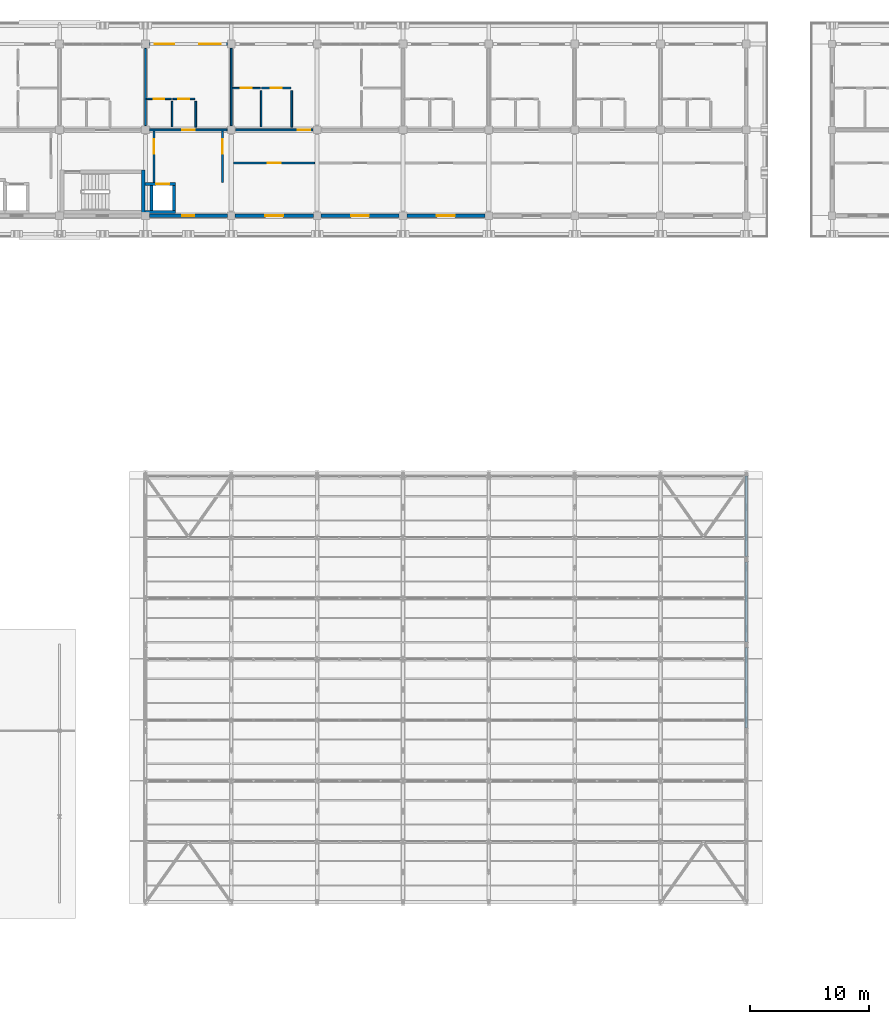
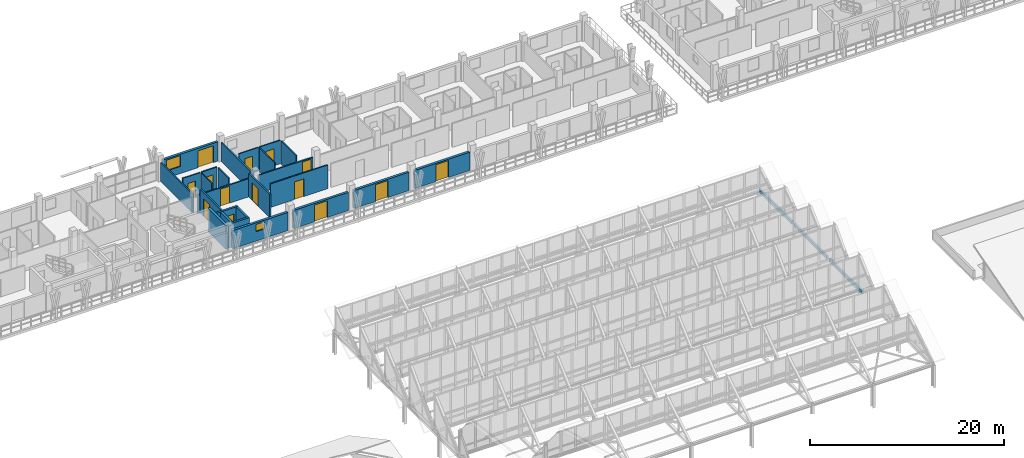
# One storey, part 124 of 157: 28 walls, 14 doors, 2 windows, 16 openings.
"""IFC4 building model written with IfcOpenShell, lengths in metres."""

from ifc_helpers import new_model, si_unit, direction, frame, frame_2d, origin, place, context, subcontext, project, spatial, rectangle, extrude, material, layer, layer_set, type_object, element, fill, save


model = new_model("IFC4")

# Units and contexts
model_context = context("Model", 3, precision=1e-05, world=origin(), true_north=direction((0.0, 1.0)))
body_context = subcontext(model_context, "Body", "Model", "MODEL_VIEW")
ifc_project = project(units=[si_unit("LENGTHUNIT", "METRE"), si_unit("AREAUNIT", "SQUARE_METRE"), si_unit("VOLUMEUNIT", "CUBIC_METRE"), si_unit("PLANEANGLEUNIT", "RADIAN"), si_unit("MASSUNIT", "GRAM", prefix="KILO")], contexts=[model_context])

# Site, building, storey
site_placement = place(None, origin())
site = spatial("IfcSite", under=ifc_project, at=site_placement, CompositionType="ELEMENT")
building_placement = place(site_placement, origin())
building = spatial("IfcBuilding", under=site, at=building_placement, Name="Suanplinth Sawtooth Commons", CompositionType="ELEMENT")
storey_placement = place(building_placement, frame((0.0, 0.0, 9.0)))
storey = spatial("IfcBuildingStorey", under=building, at=storey_placement, Name="L02", CompositionType="ELEMENT", Elevation=9.0)

# Wall
ifc_material_1 = material(Name="Concrete C40/50", Category="concrete")
ifc_layer_1 = layer(ifc_material_1, 0.300048828125, Name="Standard RC stair and lift core wall 300mm")
ifc_layer_set_1 = layer_set([ifc_layer_1], Name="Concrete C40/50")
wall_type_1 = type_object("IfcWallType", Name="W-CR02", PredefinedType="SHEAR", material=ifc_layer_set_1)
wall_1_placement = place(storey_placement, frame((64.60009765625, 108.14990234375, 0.0), z_axis=(0.0, 0.0, 1.0), x_axis=(0.0, 1.0, 0.0)))
element("IfcWall", 1, at=wall_1_placement, inside=storey, type_object=wall_type_1, Name="W-L02-C-A2-STE", PredefinedType="SHEAR", context=body_context, shape_type="SweptSolid", body=[
    extrude(rectangle(XDim=3.7001953125, YDim=0.300048828125, at=frame_2d((1.85009765625, 0.0))), origin(), (0.0, 0.0, 1.0), 2.9599609375),
])

# Wall, openings, door, window
ifc_material_2 = material(Name="Precast concrete C40/50", Category="concrete")
ifc_layer_2 = layer(ifc_material_2, 0.280029296875, Name="Insulated precast architectural facade wall 280mm")
ifc_layer_set_2 = layer_set([ifc_layer_2], Name="Precast concrete C40/50")
wall_type_2 = type_object("IfcWallType", Name="W-EX01", PredefinedType="ELEMENTEDWALL", material=ifc_layer_set_2)
wall_2_placement = place(storey_placement, frame((65.125, 122.39990234375, 0.0), z_axis=(0.0, 0.0, 1.0), x_axis=(1.0, 0.0, 0.0)))
wall_2 = element("IfcWall", 2, at=wall_2_placement, inside=storey, type_object=wall_type_2, Name="Facade Wall W-L02-A-N-9", PredefinedType="ELEMENTEDWALL", context=body_context, shape_type="SweptSolid", body=[
    extrude(rectangle(XDim=6.550048828125, YDim=0.280029296875, at=frame_2d((3.27490234375, 0.0))), origin(), (0.0, 0.0, 1.0), 2.425048828125),
])
opening_1_placement = place(wall_2_placement, frame((4.199951171875, 0.0, 0.0)))
opening_1 = element("IfcOpeningElement", 3, at=opening_1_placement, cuts=wall_2, Name="Opening ED0141", PredefinedType="OPENING", context=body_context, shape_type="SweptSolid", body=[
    extrude(rectangle(XDim=1.800048828125, YDim=2.1201171875, at=frame_2d((0.89990234375, 1.06005859375))), frame((0.0, 0.15478515625, 0.0), z_axis=(0.0, -1.0, 0.0), x_axis=(1.0, 0.0, 0.0)), (0.0, 0.0, 1.0), 0.309814453125),
])
opening_2_placement = place(wall_2_placement, frame((0.449951171875, 0.0, 0.89990234375)))
opening_2 = element("IfcOpeningElement", 4, at=opening_2_placement, cuts=wall_2, Name="Opening W0259", PredefinedType="OPENING", context=body_context, shape_type="SweptSolid", body=[
    extrude(rectangle(XDim=1.64990234375, YDim=1.35009765625, at=frame_2d((0.824951171875, 0.675048828125))), frame((0.0, 0.15478515625, 0.0), z_axis=(0.0, -1.0, 0.0), x_axis=(1.0, 0.0, 0.0)), (0.0, 0.0, 1.0), 0.309814453125),
])
ifc_material_3 = material(Name="Anodized aluminium and low-E glass", Category="aluminium")
door_type_1 = type_object("IfcDoorType", Name="SD-01", OperationType="SLIDING_TO_LEFT", PredefinedType="DOOR", material=ifc_material_3)
door_1_placement = place(opening_1_placement, frame((1.800048828125, 0.0, 0.0), z_axis=(0.0, 0.0, 1.0), x_axis=(-1.0, 0.0, 0.0)))
door_1 = element("IfcDoor", 5, at=door_1_placement, inside=storey, type_object=door_type_1, Name="Balcony Sliding Door L02-A-N-9", OperationType="SLIDING_TO_LEFT", OverallHeight=2.1201171875, OverallWidth=1.800048828125, PredefinedType="DOOR", context=body_context, shape_type="SweptSolid", body=[
    extrude(rectangle(XDim=1.800048828125, YDim=2.1201171875, at=frame_2d((0.89990234375, 1.06005859375))), frame((0.0, 0.02490234375, 0.0), z_axis=(0.0, -1.0, 0.0), x_axis=(1.0, 0.0, 0.0)), (0.0, 0.0, 1.0), 0.050048828125),
])
fill(opening_1, door_1)
ifc_material_4 = material(Name="Thermally broken aluminium and low-E double glazing", Category="aluminium")
window_type_1 = type_object("IfcWindowType", Name="WN-19", PartitioningType="DOUBLE_PANEL_VERTICAL", PredefinedType="WINDOW", material=ifc_material_4)
window_1_placement = place(opening_2_placement, origin())
window_1 = element("IfcWindow", 6, at=window_1_placement, inside=storey, type_object=window_type_1, Name="Window L02-A-N-9", OverallHeight=1.35009765625, OverallWidth=1.64990234375, PartitioningType="DOUBLE_PANEL_VERTICAL", PredefinedType="WINDOW", context=body_context, shape_type="SweptSolid", body=[
    extrude(rectangle(XDim=1.64990234375, YDim=1.35009765625, at=frame_2d((0.824951171875, 0.675048828125))), frame((0.0, 0.030029296875, 0.0), z_axis=(0.0, -1.0, 0.0), x_axis=(1.0, 0.0, 0.0)), (0.0, 0.0, 1.0), 0.06005859375),
])
fill(opening_2, window_1)

# Wall, opening, window
wall_3_placement = place(storey_placement, frame((65.125, 108.0, 0.0), z_axis=(0.0, 0.0, 1.0), x_axis=(1.0, 0.0, 0.0)))
wall_3 = element("IfcWall", 7, at=wall_3_placement, inside=storey, type_object=wall_type_2, Name="Courtyard Wall W-L02-A-S-9", PredefinedType="ELEMENTEDWALL", context=body_context, shape_type="SweptSolid", body=[
    extrude(rectangle(XDim=6.550048828125, YDim=0.280029296875, at=frame_2d((3.27490234375, 0.0))), origin(), (0.0, 0.0, 1.0), 2.294921875),
])
opening_3_placement = place(wall_3_placement, frame((2.77490234375, 0.0, 1.199951171875)))
opening_3 = element("IfcOpeningElement", 8, at=opening_3_placement, cuts=wall_3, Name="Opening W0260", PredefinedType="OPENING", context=body_context, shape_type="SweptSolid", body=[
    extrude(rectangle(XDim=1.0, YDim=0.89990234375, at=frame_2d((0.5, 0.449951171875))), frame((0.0, 0.15478515625, 0.0), z_axis=(0.0, -1.0, 0.0), x_axis=(1.0, 0.0, 0.0)), (0.0, 0.0, 1.0), 0.309814453125),
])
window_type_2 = type_object("IfcWindowType", Name="WN-12", PartitioningType="SINGLE_PANEL", PredefinedType="WINDOW", material=ifc_material_4)
window_2_placement = place(opening_3_placement, origin())
window_2 = element("IfcWindow", 9, at=window_2_placement, inside=storey, type_object=window_type_2, Name="Core Daylight Window L02-A-9", OverallHeight=0.89990234375, OverallWidth=1.0, PartitioningType="SINGLE_PANEL", PredefinedType="WINDOW", context=body_context, shape_type="SweptSolid", body=[
    extrude(rectangle(XDim=1.0, YDim=0.89990234375, at=frame_2d((0.5, 0.449951171875))), frame((0.0, 0.030029296875, 0.0), z_axis=(0.0, -1.0, 0.0), x_axis=(1.0, 0.0, 0.0)), (0.0, 0.0, 1.0), 0.06005859375),
])
fill(opening_3, window_2)

# Wall, opening, door
wall_4_placement = place(storey_placement, frame((72.324951171875, 108.0, 0.0), z_axis=(0.0, 0.0, 1.0), x_axis=(1.0, 0.0, 0.0)))
wall_4 = element("IfcWall", 10, at=wall_4_placement, inside=storey, type_object=wall_type_2, Name="Courtyard Wall W-L02-A-S-10", PredefinedType="ELEMENTEDWALL", context=body_context, shape_type="SweptSolid", body=[
    extrude(rectangle(XDim=6.550048828125, YDim=0.280029296875, at=frame_2d((3.27490234375, 0.0))), origin(), (0.0, 0.0, 1.0), 2.294921875),
])
opening_4_placement = place(wall_4_placement, frame((2.52490234375, 0.0, 0.0)))
opening_4 = element("IfcOpeningElement", 11, at=opening_4_placement, cuts=wall_4, Name="Opening ED0143", PredefinedType="OPENING", context=body_context, shape_type="SweptSolid", body=[
    extrude(rectangle(XDim=1.5, YDim=2.1201171875, at=frame_2d((0.75, 1.06005859375))), frame((0.0, 0.15478515625, 0.0), z_axis=(0.0, -1.0, 0.0), x_axis=(1.0, 0.0, 0.0)), (0.0, 0.0, 1.0), 0.309814453125),
])
door_type_2 = type_object("IfcDoorType", Name="SD-03", OperationType="SLIDING_TO_LEFT", PredefinedType="DOOR", material=ifc_material_3)
door_2_placement = place(opening_4_placement, frame((1.5, 0.0, 0.0), z_axis=(0.0, 0.0, 1.0), x_axis=(-1.0, 0.0, 0.0)))
door_2 = element("IfcDoor", 12, at=door_2_placement, inside=storey, type_object=door_type_2, Name="Courtyard Balcony Sliding Door L02-A-S-10", OperationType="SLIDING_TO_LEFT", OverallHeight=2.1201171875, OverallWidth=1.5, PredefinedType="DOOR", context=body_context, shape_type="SweptSolid", body=[
    extrude(rectangle(XDim=1.5, YDim=2.1201171875, at=frame_2d((0.75, 1.06005859375))), frame((0.0, 0.02490234375, 0.0), z_axis=(0.0, -1.0, 0.0), x_axis=(1.0, 0.0, 0.0)), (0.0, 0.0, 1.0), 0.050048828125),
])
fill(opening_4, door_2)

wall_5_placement = place(storey_placement, frame((79.52490234375, 108.0, 0.0), z_axis=(0.0, 0.0, 1.0), x_axis=(1.0, 0.0, 0.0)))
wall_5 = element("IfcWall", 13, at=wall_5_placement, inside=storey, type_object=wall_type_2, Name="Courtyard Wall W-L02-A-S-11", PredefinedType="ELEMENTEDWALL", context=body_context, shape_type="SweptSolid", body=[
    extrude(rectangle(XDim=6.550048828125, YDim=0.280029296875, at=frame_2d((3.27490234375, 0.0))), origin(), (0.0, 0.0, 1.0), 2.294921875),
])
opening_5_placement = place(wall_5_placement, frame((2.52490234375, 0.0, 0.0)))
opening_5 = element("IfcOpeningElement", 14, at=opening_5_placement, cuts=wall_5, Name="Opening ED0144", PredefinedType="OPENING", context=body_context, shape_type="SweptSolid", body=[
    extrude(rectangle(XDim=1.5, YDim=2.1201171875, at=frame_2d((0.75, 1.06005859375))), frame((0.0, 0.15478515625, 0.0), z_axis=(0.0, -1.0, 0.0), x_axis=(1.0, 0.0, 0.0)), (0.0, 0.0, 1.0), 0.309814453125),
])
door_3_placement = place(opening_5_placement, frame((1.5, 0.0, 0.0), z_axis=(0.0, 0.0, 1.0), x_axis=(-1.0, 0.0, 0.0)))
door_3 = element("IfcDoor", 15, at=door_3_placement, inside=storey, type_object=door_type_2, Name="Courtyard Balcony Sliding Door L02-A-S-11", OperationType="SLIDING_TO_LEFT", OverallHeight=2.1201171875, OverallWidth=1.5, PredefinedType="DOOR", context=body_context, shape_type="SweptSolid", body=[
    extrude(rectangle(XDim=1.5, YDim=2.1201171875, at=frame_2d((0.75, 1.06005859375))), frame((0.0, 0.02490234375, 0.0), z_axis=(0.0, -1.0, 0.0), x_axis=(1.0, 0.0, 0.0)), (0.0, 0.0, 1.0), 0.050048828125),
])
fill(opening_5, door_3)

wall_6_placement = place(storey_placement, frame((86.72509765625, 108.0, 0.0), z_axis=(0.0, 0.0, 1.0), x_axis=(1.0, 0.0, 0.0)))
wall_6 = element("IfcWall", 16, at=wall_6_placement, inside=storey, type_object=wall_type_2, Name="Courtyard Wall W-L02-A-S-12", PredefinedType="ELEMENTEDWALL", context=body_context, shape_type="SweptSolid", body=[
    extrude(rectangle(XDim=6.5498046875, YDim=0.280029296875, at=frame_2d((3.27490234375, 0.0))), origin(), (0.0, 0.0, 1.0), 2.294921875),
])
opening_6_placement = place(wall_6_placement, frame((2.52490234375, 0.0, 0.0)))
opening_6 = element("IfcOpeningElement", 17, at=opening_6_placement, cuts=wall_6, Name="Opening ED0146", PredefinedType="OPENING", context=body_context, shape_type="SweptSolid", body=[
    extrude(rectangle(XDim=1.5, YDim=2.1201171875, at=frame_2d((0.75, 1.06005859375))), frame((0.0, 0.15478515625, 0.0), z_axis=(0.0, -1.0, 0.0), x_axis=(1.0, 0.0, 0.0)), (0.0, 0.0, 1.0), 0.309814453125),
])
door_4_placement = place(opening_6_placement, frame((1.5, 0.0, 0.0), z_axis=(0.0, 0.0, 1.0), x_axis=(-1.0, 0.0, 0.0)))
door_4 = element("IfcDoor", 18, at=door_4_placement, inside=storey, type_object=door_type_2, Name="Courtyard Balcony Sliding Door L02-A-S-12", OperationType="SLIDING_TO_LEFT", OverallHeight=2.1201171875, OverallWidth=1.5, PredefinedType="DOOR", context=body_context, shape_type="SweptSolid", body=[
    extrude(rectangle(XDim=1.5, YDim=2.1201171875, at=frame_2d((0.75, 1.06005859375))), frame((0.0, 0.02490234375, 0.0), z_axis=(0.0, -1.0, 0.0), x_axis=(1.0, 0.0, 0.0)), (0.0, 0.0, 1.0), 0.050048828125),
])
fill(opening_6, door_4)

# Walls
ifc_layer_3 = layer(ifc_material_2, 0.219970703125, Name="Civic pavilion insulated facade wall 220mm")
ifc_layer_set_3 = layer_set([ifc_layer_3], Name="Precast concrete C40/50")
wall_type_3 = type_object("IfcWallType", Name="W-EX05", PredefinedType="ELEMENTEDWALL", material=ifc_layer_set_3)
for number, where, z_axis, x_axis, name in (
    (19, (115.199951171875, 65.02490234375, 2.81005859375), (0.0, 0.0, 1.0), (0.0, 1.0, 0.0), "Hall E Wall L02-9"),
    (20, (115.199951171875, 72.22509765625, 2.81005859375), (0.0, 0.0, 1.0), (0.0, 1.0, 0.0), "Hall E Wall L02-10"),
    (21, (115.199951171875, 79.425048828125, 2.81005859375), (0.0, 0.0, 1.0), (0.0, 1.0, 0.0), "Hall E Wall L02-11"),
):
    element("IfcWall", number, at=place(storey_placement, frame(where, z_axis=z_axis, x_axis=x_axis)), inside=storey, type_object=wall_type_3, Name=name, PredefinedType="ELEMENTEDWALL", context=body_context, shape_type="SweptSolid", body=[
        extrude(rectangle(XDim=6.75, YDim=0.219970703125, at=frame_2d((3.375, 0.0))), origin(), (0.0, 0.0, 1.0), 0.389892578125),
    ])

# Wall, opening, door
ifc_layer_4 = layer(ifc_material_2, 0.159912109375, Name="Fire-rated corridor and lobby wall 160mm")
ifc_layer_set_4 = layer_set([ifc_layer_4], Name="Precast concrete C40/50")
wall_type_4 = type_object("IfcWallType", Name="W-FW01", PredefinedType="PARTITIONING", material=ifc_layer_set_4)
wall_7_placement = place(storey_placement, frame((65.52001953125, 110.800048828125, 0.0), z_axis=(0.0, 0.0, 1.0), x_axis=(0.0, 1.0, 0.0)))
wall_7 = element("IfcWall", 22, at=wall_7_placement, inside=storey, type_object=wall_type_4, Name="W-L02-C-A2-LOB-W", PredefinedType="PARTITIONING", context=body_context, shape_type="SweptSolid", body=[
    extrude(rectangle(XDim=4.320068359375, YDim=0.159912109375, at=frame_2d((2.16015625, 0.0))), origin(), (0.0, 0.0, 1.0), 2.9599609375),
])
opening_7_placement = place(wall_7_placement, frame((2.39990234375, 0.0, 0.0)))
opening_7 = element("IfcOpeningElement", 23, at=opening_7_placement, cuts=wall_7, Name="Opening FD0099", PredefinedType="OPENING", context=body_context, shape_type="SweptSolid", body=[
    extrude(rectangle(XDim=1.199951171875, YDim=2.199951171875, at=frame_2d((0.60009765625, 1.10009765625))), frame((0.0, 0.0947265625, 0.0), z_axis=(0.0, -1.0, 0.0), x_axis=(1.0, 0.0, 0.0)), (0.0, 0.0, 1.0), 0.189697265625),
])
ifc_material_5 = material(Name="Teak hardwood fire-rated door assembly", Category="wood")
door_type_3 = type_object("IfcDoorType", Name="FD-02", OperationType="NOTDEFINED", PredefinedType="DOOR", material=ifc_material_5)
door_5_placement = place(opening_7_placement, origin())
door_5 = element("IfcDoor", 24, at=door_5_placement, inside=storey, type_object=door_type_3, Name="Lobby Fire Door FD0099", OperationType="SINGLE_SWING_LEFT", OverallHeight=2.199951171875, OverallWidth=1.199951171875, PredefinedType="DOOR", context=body_context, shape_type="SweptSolid", body=[
    extrude(rectangle(XDim=1.199951171875, YDim=2.199951171875, at=frame_2d((0.60009765625, 1.10009765625))), frame((0.0, 0.02490234375, 0.0), z_axis=(0.0, -1.0, 0.0), x_axis=(1.0, 0.0, 0.0)), (0.0, 0.0, 1.0), 0.050048828125),
])
fill(opening_7, door_5)

wall_8_placement = place(storey_placement, frame((71.280029296875, 110.800048828125, 0.0), z_axis=(0.0, 0.0, 1.0), x_axis=(0.0, 1.0, 0.0)))
wall_8 = element("IfcWall", 25, at=wall_8_placement, inside=storey, type_object=wall_type_4, Name="W-L02-C-A2-LOB-E", PredefinedType="PARTITIONING", context=body_context, shape_type="SweptSolid", body=[
    extrude(rectangle(XDim=4.320068359375, YDim=0.159912109375, at=frame_2d((2.16015625, 0.0))), origin(), (0.0, 0.0, 1.0), 2.9599609375),
])
opening_8_placement = place(wall_8_placement, frame((2.39990234375, 0.0, 0.0)))
opening_8 = element("IfcOpeningElement", 26, at=opening_8_placement, cuts=wall_8, Name="Opening FD0100", PredefinedType="OPENING", context=body_context, shape_type="SweptSolid", body=[
    extrude(rectangle(XDim=1.199951171875, YDim=2.199951171875, at=frame_2d((0.60009765625, 1.10009765625))), frame((0.0, 0.0947265625, 0.0), z_axis=(0.0, -1.0, 0.0), x_axis=(1.0, 0.0, 0.0)), (0.0, 0.0, 1.0), 0.189697265625),
])
door_6_placement = place(opening_8_placement, frame((1.199951171875, 0.0, 0.0), z_axis=(0.0, 0.0, 1.0), x_axis=(-1.0, 0.0, 0.0)))
door_6 = element("IfcDoor", 27, at=door_6_placement, inside=storey, type_object=door_type_3, Name="Lobby Fire Door FD0100", OperationType="SINGLE_SWING_RIGHT", OverallHeight=2.199951171875, OverallWidth=1.199951171875, PredefinedType="DOOR", context=body_context, shape_type="SweptSolid", body=[
    extrude(rectangle(XDim=1.199951171875, YDim=2.199951171875, at=frame_2d((0.60009765625, 1.10009765625))), frame((0.0, 0.02490234375, 0.0), z_axis=(0.0, -1.0, 0.0), x_axis=(1.0, 0.0, 0.0)), (0.0, 0.0, 1.0), 0.050048828125),
])
fill(opening_8, door_6)

wall_9_placement = place(storey_placement, frame((65.155029296875, 115.199951171875, 0.0), z_axis=(0.0, 0.0, 1.0), x_axis=(1.0, 0.0, 0.0)))
wall_9 = element("IfcWall", 28, at=wall_9_placement, inside=storey, type_object=wall_type_4, Name="W-A-L02-U08-COR", PredefinedType="PARTITIONING", context=body_context, shape_type="SweptSolid", body=[
    extrude(rectangle(XDim=6.489990234375, YDim=0.159912109375, at=frame_2d((3.2451171875, 0.0))), origin(), (0.0, 0.0, 1.0), 2.294921875),
])
opening_9_placement = place(wall_9_placement, frame((2.719970703125, 0.0, 0.0)))
opening_9 = element("IfcOpeningElement", 29, at=opening_9_placement, cuts=wall_9, Name="Opening FD0713", PredefinedType="OPENING", context=body_context, shape_type="SweptSolid", body=[
    extrude(rectangle(XDim=1.050048828125, YDim=2.14990234375, at=frame_2d((0.52490234375, 1.074951171875))), frame((0.0, 0.0947265625, 0.0), z_axis=(0.0, -1.0, 0.0), x_axis=(1.0, 0.0, 0.0)), (0.0, 0.0, 1.0), 0.189697265625),
])
door_type_4 = type_object("IfcDoorType", Name="FD-04", OperationType="NOTDEFINED", PredefinedType="DOOR", material=ifc_material_5)
door_7_placement = place(opening_9_placement, origin())
door_7 = element("IfcDoor", 30, at=door_7_placement, inside=storey, type_object=door_type_4, Name="Unit Entrance Door FD0713", OperationType="SINGLE_SWING_LEFT", OverallHeight=2.14990234375, OverallWidth=1.050048828125, PredefinedType="DOOR", context=body_context, shape_type="SweptSolid", body=[
    extrude(rectangle(XDim=1.050048828125, YDim=2.14990234375, at=frame_2d((0.52490234375, 1.074951171875))), frame((0.0, 0.02490234375, 0.0), z_axis=(0.0, -1.0, 0.0), x_axis=(1.0, 0.0, 0.0)), (0.0, 0.0, 1.0), 0.050048828125),
])
fill(opening_9, door_7)

wall_10_placement = place(storey_placement, frame((72.35498046875, 115.199951171875, 0.0), z_axis=(0.0, 0.0, 1.0), x_axis=(1.0, 0.0, 0.0)))
wall_10 = element("IfcWall", 31, at=wall_10_placement, inside=storey, type_object=wall_type_4, Name="W-A-L02-U09-COR-S1", PredefinedType="PARTITIONING", context=body_context, shape_type="SweptSolid", body=[
    extrude(rectangle(XDim=6.489990234375, YDim=0.159912109375, at=frame_2d((3.2451171875, 0.0))), origin(), (0.0, 0.0, 1.0), 2.294921875),
])
opening_10_placement = place(wall_10_placement, frame((5.219970703125, 0.0, 0.0)))
opening_10 = element("IfcOpeningElement", 32, at=opening_10_placement, cuts=wall_10, Name="Opening FD0716", PredefinedType="OPENING", context=body_context, shape_type="SweptSolid", body=[
    extrude(rectangle(XDim=1.050048828125, YDim=2.14990234375, at=frame_2d((0.52490234375, 1.074951171875))), frame((0.0, 0.0947265625, 0.0), z_axis=(0.0, -1.0, 0.0), x_axis=(1.0, 0.0, 0.0)), (0.0, 0.0, 1.0), 0.189697265625),
])
door_8_placement = place(opening_10_placement, origin())
door_8 = element("IfcDoor", 33, at=door_8_placement, inside=storey, type_object=door_type_4, Name="Unit Entrance Door FD0716", OperationType="SINGLE_SWING_RIGHT", OverallHeight=2.14990234375, OverallWidth=1.050048828125, PredefinedType="DOOR", context=body_context, shape_type="SweptSolid", body=[
    extrude(rectangle(XDim=1.050048828125, YDim=2.14990234375, at=frame_2d((0.52490234375, 1.074951171875))), frame((0.0, 0.02490234375, 0.0), z_axis=(0.0, -1.0, 0.0), x_axis=(1.0, 0.0, 0.0)), (0.0, 0.0, 1.0), 0.050048828125),
])
fill(opening_10, door_8)

wall_11_placement = place(storey_placement, frame((72.199951171875, 112.419921875, 0.0), z_axis=(0.0, 0.0, 1.0), x_axis=(1.0, 0.0, 0.0)))
wall_11 = element("IfcWall", 34, at=wall_11_placement, inside=storey, type_object=wall_type_4, Name="W-A-L02-COURTROOM-19-COR", PredefinedType="PARTITIONING", context=body_context, shape_type="SweptSolid", body=[
    extrude(rectangle(XDim=6.800048828125, YDim=0.159912109375, at=frame_2d((3.39990234375, 0.0))), origin(), (0.0, 0.0, 1.0), 2.9599609375),
])
opening_11_placement = place(wall_11_placement, frame((2.860107421875, 0.0, 0.0)))
opening_11 = element("IfcOpeningElement", 35, at=opening_11_placement, cuts=wall_11, Name="Opening D0739", PredefinedType="OPENING", context=body_context, shape_type="SweptSolid", body=[
    extrude(rectangle(XDim=1.080078125, YDim=2.219970703125, at=frame_2d((0.5400390625, 1.10986328125))), frame((0.0, 0.0947265625, 0.0), z_axis=(0.0, -1.0, 0.0), x_axis=(1.0, 0.0, 0.0)), (0.0, 0.0, 1.0), 0.189697265625),
])
ifc_material_6 = material(Name="Teak hardwood", Category="wood")
door_type_5 = type_object("IfcDoorType", Name="D-17", OperationType="NOTDEFINED", PredefinedType="DOOR", material=ifc_material_6)
door_9_placement = place(opening_11_placement, frame((1.080078125, 0.0, 0.0), z_axis=(0.0, 0.0, 1.0), x_axis=(-1.0, 0.0, 0.0)))
door_9 = element("IfcDoor", 36, at=door_9_placement, inside=storey, type_object=door_type_5, Name="Study Studio Door D0739", OperationType="SINGLE_SWING_LEFT", OverallHeight=2.219970703125, OverallWidth=1.080078125, PredefinedType="DOOR", context=body_context, shape_type="SweptSolid", body=[
    extrude(rectangle(XDim=1.080078125, YDim=2.219970703125, at=frame_2d((0.5400390625, 1.10986328125))), frame((0.0, 0.02490234375, 0.0), z_axis=(0.0, -1.0, 0.0), x_axis=(1.0, 0.0, 0.0)), (0.0, 0.0, 1.0), 0.050048828125),
])
fill(opening_11, door_9)

# Walls
ifc_layer_5 = layer(ifc_material_2, 0.14990234375, Name="Acoustic precast party demising wall 150mm")
ifc_layer_set_5 = layer_set([ifc_layer_5], Name="Precast concrete C40/50")
wall_type_5 = type_object("IfcWallType", Name="W-FW02", PredefinedType="PARTITIONING", material=ifc_layer_set_5)
for number, where, z_axis, x_axis, name in (
    (37, (64.800048828125, 115.554931640625, 0.0), (0.0, 0.0, 1.0), (0.0, 1.0, 0.0), "W-A-L02-U07-PTY"),
    (38, (72.0, 115.554931640625, 0.0), (0.0, 0.0, 1.0), (0.0, 1.0, 0.0), "W-A-L02-U08-PTY"),
):
    element("IfcWall", number, at=place(storey_placement, frame(where, z_axis=z_axis, x_axis=x_axis)), inside=storey, type_object=wall_type_5, Name=name, PredefinedType="PARTITIONING", context=body_context, shape_type="SweptSolid", body=[
        extrude(rectangle(XDim=6.489990234375, YDim=0.14990234375, at=frame_2d((3.2451171875, 0.0))), origin(), (0.0, 0.0, 1.0), 2.39501953125),
    ])

# Wall, opening, door
ifc_material_7 = material(Name="Gypsum plasterboard on steel stud", Category="steel")
ifc_layer_6 = layer(ifc_material_7, 0.139892578125, Name="Fire-rated kitchen partition 140mm")
ifc_layer_set_6 = layer_set([ifc_layer_6], Name="Gypsum plasterboard on steel stud")
wall_type_6 = type_object("IfcWallType", Name="W-PT01", PredefinedType="PARTITIONING", material=ifc_layer_set_6)
wall_12_placement = place(storey_placement, frame((67.10009765625, 117.800048828125, 0.0), z_axis=(0.0, 0.0, 1.0), x_axis=(1.0, 0.0, 0.0)))
wall_12 = element("IfcWall", 39, at=wall_12_placement, inside=storey, type_object=wall_type_6, Name="W-A-L02-U08-KIT1", PredefinedType="PARTITIONING", context=body_context, shape_type="SweptSolid", body=[
    extrude(rectangle(XDim=1.849853515625, YDim=0.139892578125, at=frame_2d((0.9248046875, 0.0))), origin(), (0.0, 0.0, 1.0), 2.9599609375),
])
opening_12_placement = place(wall_12_placement, frame((0.4599609375, 0.0, 0.0)))
opening_12 = element("IfcOpeningElement", 40, at=opening_12_placement, cuts=wall_12, Name="Opening D0715", PredefinedType="OPENING", context=body_context, shape_type="SweptSolid", body=[
    extrude(rectangle(XDim=0.929931640625, YDim=2.139892578125, at=frame_2d((0.46484375, 1.06982421875))), frame((0.0, 0.0849609375, 0.0), z_axis=(0.0, -1.0, 0.0), x_axis=(1.0, 0.0, 0.0)), (0.0, 0.0, 1.0), 0.169677734375),
])
door_type_6 = type_object("IfcDoorType", Name="D-19", OperationType="NOTDEFINED", PredefinedType="DOOR", material=ifc_material_6)
door_10_placement = place(opening_12_placement, frame((0.929931640625, 0.0, 0.0), z_axis=(0.0, 0.0, 1.0), x_axis=(-1.0, 0.0, 0.0)))
door_10 = element("IfcDoor", 41, at=door_10_placement, inside=storey, type_object=door_type_6, Name="Kitchen Door D0715", OperationType="SINGLE_SWING_LEFT", OverallHeight=2.139892578125, OverallWidth=0.929931640625, PredefinedType="DOOR", context=body_context, shape_type="SweptSolid", body=[
    extrude(rectangle(XDim=0.929931640625, YDim=2.139892578125, at=frame_2d((0.46484375, 1.06982421875))), frame((0.0, 0.02490234375, 0.0), z_axis=(0.0, -1.0, 0.0), x_axis=(1.0, 0.0, 0.0)), (0.0, 0.0, 1.0), 0.050048828125),
])
fill(opening_12, door_10)

# Wall
wall_13_placement = place(storey_placement, frame((69.02001953125, 115.429931640625, 0.0), z_axis=(0.0, 0.0, 1.0), x_axis=(0.0, 1.0, 0.0)))
element("IfcWall", 42, at=wall_13_placement, inside=storey, type_object=wall_type_6, Name="W-A-L02-U08-KIT2", PredefinedType="PARTITIONING", context=body_context, shape_type="SweptSolid", body=[
    extrude(rectangle(XDim=2.150146484375, YDim=0.139892578125, at=frame_2d((1.0751953125, 0.0))), origin(), (0.0, 0.0, 1.0), 2.9599609375),
])

# Wall, opening, door
wall_14_placement = place(storey_placement, frame((74.550048828125, 118.7099609375, 0.0), z_axis=(0.0, 0.0, 1.0), x_axis=(1.0, 0.0, 0.0)))
wall_14 = element("IfcWall", 43, at=wall_14_placement, inside=storey, type_object=wall_type_6, Name="W-A-L02-U09-KIT1", PredefinedType="PARTITIONING", context=body_context, shape_type="SweptSolid", body=[
    extrude(rectangle(XDim=2.449951171875, YDim=0.139892578125, at=frame_2d((1.22509765625, 0.0))), origin(), (0.0, 0.0, 1.0), 2.9599609375),
])
opening_13_placement = place(wall_14_placement, frame((0.760009765625, 0.0, 0.0)))
opening_13 = element("IfcOpeningElement", 44, at=opening_13_placement, cuts=wall_14, Name="Opening D0718", PredefinedType="OPENING", context=body_context, shape_type="SweptSolid", body=[
    extrude(rectangle(XDim=0.929931640625, YDim=2.139892578125, at=frame_2d((0.46484375, 1.06982421875))), frame((0.0, 0.0849609375, 0.0), z_axis=(0.0, -1.0, 0.0), x_axis=(1.0, 0.0, 0.0)), (0.0, 0.0, 1.0), 0.169677734375),
])
door_11_placement = place(opening_13_placement, frame((0.929931640625, 0.0, 0.0), z_axis=(0.0, 0.0, 1.0), x_axis=(-1.0, 0.0, 0.0)))
door_11 = element("IfcDoor", 45, at=door_11_placement, inside=storey, type_object=door_type_6, Name="Kitchen Door D0718", OperationType="SINGLE_SWING_RIGHT", OverallHeight=2.139892578125, OverallWidth=0.929931640625, PredefinedType="DOOR", context=body_context, shape_type="SweptSolid", body=[
    extrude(rectangle(XDim=0.929931640625, YDim=2.139892578125, at=frame_2d((0.46484375, 1.06982421875))), frame((0.0, 0.02490234375, 0.0), z_axis=(0.0, -1.0, 0.0), x_axis=(1.0, 0.0, 0.0)), (0.0, 0.0, 1.0), 0.050048828125),
])
fill(opening_13, door_11)

# Wall
wall_15_placement = place(storey_placement, frame((77.070068359375, 115.429931640625, 0.0), z_axis=(0.0, 0.0, 1.0), x_axis=(0.0, 1.0, 0.0)))
element("IfcWall", 46, at=wall_15_placement, inside=storey, type_object=wall_type_6, Name="W-A-L02-U09-KIT2", PredefinedType="PARTITIONING", context=body_context, shape_type="SweptSolid", body=[
    extrude(rectangle(XDim=3.06005859375, YDim=0.139892578125, at=frame_2d((1.530029296875, 0.0))), origin(), (0.0, 0.0, 1.0), 2.9599609375),
])

# Wall, opening, door
ifc_layer_7 = layer(ifc_material_7, 0.1298828125, Name="Moisture-resistant bathroom partition 130mm")
ifc_layer_set_7 = layer_set([ifc_layer_7], Name="Gypsum plasterboard on steel stud")
wall_type_7 = type_object("IfcWallType", Name="W-PT02", PredefinedType="PARTITIONING", material=ifc_layer_set_7)
wall_16_placement = place(storey_placement, frame((64.8798828125, 117.794921875, 0.0), z_axis=(0.0, 0.0, 1.0), x_axis=(1.0, 0.0, 0.0)))
wall_16 = element("IfcWall", 47, at=wall_16_placement, inside=storey, type_object=wall_type_7, Name="W-A-L02-U08-BTH1", PredefinedType="PARTITIONING", context=body_context, shape_type="SweptSolid", body=[
    extrude(rectangle(XDim=2.10009765625, YDim=0.1298828125, at=frame_2d((1.050048828125, 0.0))), origin(), (0.0, 0.0, 1.0), 2.9599609375),
])
opening_14_placement = place(wall_16_placement, frame((0.610107421875, 0.0, 0.0)))
opening_14 = element("IfcOpeningElement", 48, at=opening_14_placement, cuts=wall_16, Name="Opening D0714", PredefinedType="OPENING", context=body_context, shape_type="SweptSolid", body=[
    extrude(rectangle(XDim=0.8798828125, YDim=2.10009765625, at=frame_2d((0.43994140625, 1.050048828125))), frame((0.0, 0.079833984375, 0.0), z_axis=(0.0, -1.0, 0.0), x_axis=(1.0, 0.0, 0.0)), (0.0, 0.0, 1.0), 0.15966796875),
])
door_type_7 = type_object("IfcDoorType", Name="D-14", OperationType="NOTDEFINED", PredefinedType="DOOR", material=ifc_material_6)
door_12_placement = place(opening_14_placement, frame((0.8798828125, 0.0, 0.0), z_axis=(0.0, 0.0, 1.0), x_axis=(-1.0, 0.0, 0.0)))
door_12 = element("IfcDoor", 49, at=door_12_placement, inside=storey, type_object=door_type_7, Name="Bathroom Door D0714", OperationType="SINGLE_SWING_RIGHT", OverallHeight=2.10009765625, OverallWidth=0.8798828125, PredefinedType="DOOR", context=body_context, shape_type="SweptSolid", body=[
    extrude(rectangle(XDim=0.8798828125, YDim=2.10009765625, at=frame_2d((0.43994140625, 1.050048828125))), frame((0.0, 0.02490234375, 0.0), z_axis=(0.0, -1.0, 0.0), x_axis=(1.0, 0.0, 0.0)), (0.0, 0.0, 1.0), 0.050048828125),
])
fill(opening_14, door_12)

# Wall
wall_17_placement = place(storey_placement, frame((67.044921875, 115.4599609375, 0.0), z_axis=(0.0, 0.0, 1.0), x_axis=(0.0, 1.0, 0.0)))
element("IfcWall", 50, at=wall_17_placement, inside=storey, type_object=wall_type_7, Name="W-A-L02-U08-BTH2", PredefinedType="PARTITIONING", context=body_context, shape_type="SweptSolid", body=[
    extrude(rectangle(XDim=2.130126953125, YDim=0.1298828125, at=frame_2d((1.06494140625, 0.0))), origin(), (0.0, 0.0, 1.0), 2.9599609375),
])

# Wall, opening, door
wall_18_placement = place(storey_placement, frame((72.080078125, 118.705078125, 0.0), z_axis=(0.0, 0.0, 1.0), x_axis=(1.0, 0.0, 0.0)))
wall_18 = element("IfcWall", 51, at=wall_18_placement, inside=storey, type_object=wall_type_7, Name="W-A-L02-U09-BTH1", PredefinedType="PARTITIONING", context=body_context, shape_type="SweptSolid", body=[
    extrude(rectangle(XDim=2.349853515625, YDim=0.1298828125, at=frame_2d((1.1748046875, 0.0))), origin(), (0.0, 0.0, 1.0), 2.9599609375),
])
opening_15_placement = place(wall_18_placement, frame((0.72509765625, 0.0, 0.0)))
opening_15 = element("IfcOpeningElement", 52, at=opening_15_placement, cuts=wall_18, Name="Opening D0717", PredefinedType="OPENING", context=body_context, shape_type="SweptSolid", body=[
    extrude(rectangle(XDim=0.89990234375, YDim=2.10009765625, at=frame_2d((0.449951171875, 1.050048828125))), frame((0.0, 0.079833984375, 0.0), z_axis=(0.0, -1.0, 0.0), x_axis=(1.0, 0.0, 0.0)), (0.0, 0.0, 1.0), 0.15966796875),
])
door_type_8 = type_object("IfcDoorType", Name="D-01", OperationType="NOTDEFINED", PredefinedType="DOOR", material=ifc_material_6)
door_13_placement = place(opening_15_placement, frame((0.89990234375, 0.0, 0.0), z_axis=(0.0, 0.0, 1.0), x_axis=(-1.0, 0.0, 0.0)))
door_13 = element("IfcDoor", 53, at=door_13_placement, inside=storey, type_object=door_type_8, Name="Bathroom Door D0717", OperationType="SINGLE_SWING_LEFT", OverallHeight=2.10009765625, OverallWidth=0.89990234375, PredefinedType="DOOR", context=body_context, shape_type="SweptSolid", body=[
    extrude(rectangle(XDim=0.89990234375, YDim=2.10009765625, at=frame_2d((0.449951171875, 1.050048828125))), frame((0.0, 0.02490234375, 0.0), z_axis=(0.0, -1.0, 0.0), x_axis=(1.0, 0.0, 0.0)), (0.0, 0.0, 1.0), 0.050048828125),
])
fill(opening_15, door_13)

# Walls
wall_19_placement = place(storey_placement, frame((74.4951171875, 115.4599609375, 0.0), z_axis=(0.0, 0.0, 1.0), x_axis=(0.0, 1.0, 0.0)))
element("IfcWall", 54, at=wall_19_placement, inside=storey, type_object=wall_type_7, Name="W-A-L02-U09-BTH2", PredefinedType="PARTITIONING", context=body_context, shape_type="SweptSolid", body=[
    extrude(rectangle(XDim=3.0400390625, YDim=0.1298828125, at=frame_2d((1.52001953125, 0.0))), origin(), (0.0, 0.0, 1.0), 2.9599609375),
])
ifc_layer_8 = layer(ifc_material_2, 0.25, Name="Precast structural shear wall 250mm")
ifc_layer_set_8 = layer_set([ifc_layer_8], Name="Precast concrete C40/50")
wall_type_8 = type_object("IfcWallType", Name="W-SH01", PredefinedType="SHEAR", material=ifc_layer_set_8)
wall_20_placement = place(storey_placement, frame((64.75, 108.324951171875, 0.0), z_axis=(0.0, 0.0, 1.0), x_axis=(1.0, 0.0, 0.0)))
element("IfcWall", 55, at=wall_20_placement, inside=storey, type_object=wall_type_8, Name="W-L02-LF2-S", PredefinedType="SHEAR", context=body_context, shape_type="SweptSolid", body=[
    extrude(rectangle(XDim=2.550048828125, YDim=0.25, at=frame_2d((1.27490234375, 0.0))), origin(), (0.0, 0.0, 1.0), 2.9599609375),
])

# Wall, opening, door
wall_21_placement = place(storey_placement, frame((64.75, 110.675048828125, 0.0), z_axis=(0.0, 0.0, 1.0), x_axis=(1.0, 0.0, 0.0)))
wall_21 = element("IfcWall", 56, at=wall_21_placement, inside=storey, type_object=wall_type_8, Name="W-L02-LF2-N", PredefinedType="SHEAR", context=body_context, shape_type="SweptSolid", body=[
    extrude(rectangle(XDim=2.550048828125, YDim=0.25, at=frame_2d((1.27490234375, 0.0))), origin(), (0.0, 0.0, 1.0), 2.9599609375),
])
opening_16_placement = place(wall_21_placement, frame((0.949951171875, 0.0, 0.0)))
opening_16 = element("IfcOpeningElement", 57, at=opening_16_placement, cuts=wall_21, Name="Opening LD0101", PredefinedType="OPENING", context=body_context, shape_type="SweptSolid", body=[
    extrude(rectangle(XDim=1.10009765625, YDim=2.14990234375, at=frame_2d((0.550048828125, 1.074951171875))), frame((0.0, 0.139892578125, 0.0), z_axis=(0.0, -1.0, 0.0), x_axis=(1.0, 0.0, 0.0)), (0.0, 0.0, 1.0), 0.27978515625),
])
ifc_material_8 = material(Name="Stainless steel Grade 304", Category="steel")
door_type_9 = type_object("IfcDoorType", Name="LD-01", OperationType="SLIDING_TO_LEFT", PredefinedType="DOOR", material=ifc_material_8)
door_14_placement = place(opening_16_placement, origin())
door_14 = element("IfcDoor", 58, at=door_14_placement, inside=storey, type_object=door_type_9, Name="Lift Landing Sliding Door LF2 L02", OperationType="SLIDING_TO_LEFT", OverallHeight=2.14990234375, OverallWidth=1.10009765625, PredefinedType="DOOR", context=body_context, shape_type="SweptSolid", body=[
    extrude(rectangle(XDim=1.10009765625, YDim=2.14990234375, at=frame_2d((0.550048828125, 1.074951171875))), frame((0.0, 0.02490234375, 0.0), z_axis=(0.0, -1.0, 0.0), x_axis=(1.0, 0.0, 0.0)), (0.0, 0.0, 1.0), 0.050048828125),
])
fill(opening_16, door_14)

# Walls
for number, where, z_axis, x_axis, name in (
    (59, (65.324951171875, 108.449951171875, 0.0), (0.0, 0.0, 1.0), (0.0, 1.0, 0.0), "W-L02-LF2-W"),
    (60, (67.175048828125, 108.449951171875, 0.0), (0.0, 0.0, 1.0), (0.0, 1.0, 0.0), "W-L02-LF2-E"),
):
    element("IfcWall", number, at=place(storey_placement, frame(where, z_axis=z_axis, x_axis=x_axis)), inside=storey, type_object=wall_type_8, Name=name, PredefinedType="SHEAR", context=body_context, shape_type="SweptSolid", body=[
        extrude(rectangle(XDim=2.10009765625, YDim=0.25, at=frame_2d((1.050048828125, 0.0))), origin(), (0.0, 0.0, 1.0), 2.9599609375),
    ])

save(model, "model.ifc")
